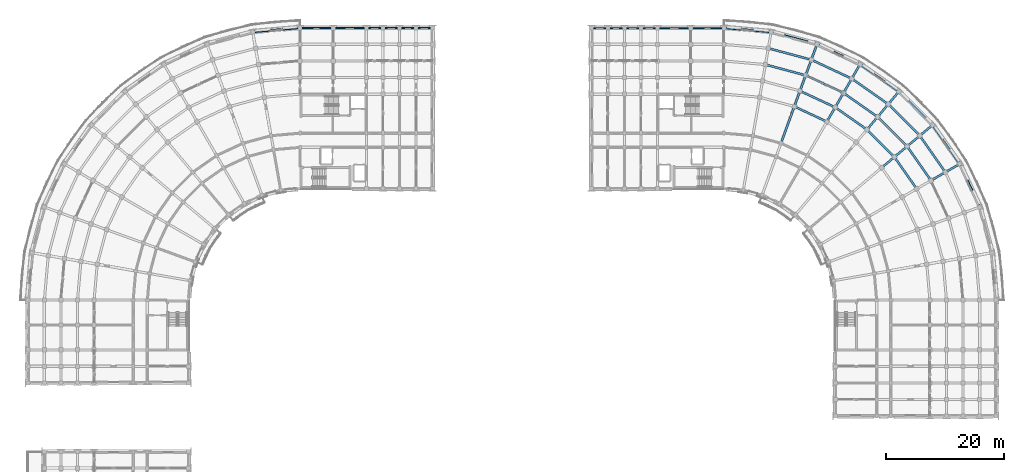
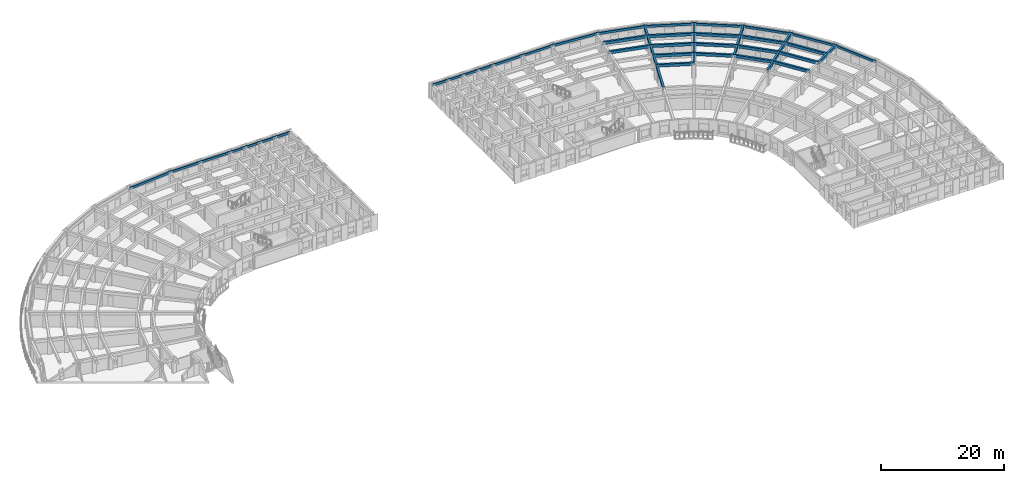
# One storey, part 14 of 57: 53 beams.
"""IFC4 building model written with IfcOpenShell, lengths in metres."""

from ifc_helpers import new_model, si_unit, direction, frame, origin, origin_2d, place, context, subcontext, project, spatial, rectangle, extrude, material, material_profile, profile_set, type_object, element, save


model = new_model("IFC4")

# Units and contexts
model_context = context("Model", 3, precision=1e-05, world=origin(), true_north=direction((0.0, 1.0)))
body_context = subcontext(model_context, "Body", "Model", "MODEL_VIEW")
ifc_project = project(units=[si_unit("LENGTHUNIT", "METRE"), si_unit("AREAUNIT", "SQUARE_METRE"), si_unit("VOLUMEUNIT", "CUBIC_METRE"), si_unit("PLANEANGLEUNIT", "RADIAN"), si_unit("MASSUNIT", "GRAM", prefix="KILO")], contexts=[model_context])

# Site, building, storey
site_placement = place(None, origin())
site = spatial("IfcSite", under=ifc_project, at=site_placement, CompositionType="ELEMENT")
building_placement = place(site_placement, origin())
building = spatial("IfcBuilding", under=site, at=building_placement, Name="Kiranvali Square Residences", CompositionType="ELEMENT")
storey_placement = place(building_placement, frame((0.0, 0.0, 21.300048828125)))
storey = spatial("IfcBuildingStorey", under=building, at=storey_placement, Name="L06", CompositionType="ELEMENT", Elevation=21.300048828125)

# Beams
ifc_material = material(Name="Concrete M40 (40 MPa)", Category="concrete")
ifc_material_profile_1 = material_profile(ifc_material, rectangle(XDim=0.35009765625, YDim=0.550048828125, at=origin_2d()), Name="RC 350x550")
ifc_profile_set_1 = profile_set([ifc_material_profile_1], Name="Concrete M40 (40 MPa)")
beam_type_1 = type_object("IfcBeamType", Name="BM-M40-350x550", PredefinedType="BEAM", material=ifc_profile_set_1)
beam_1_placement = place(storey_placement, frame((126.8154296875, 127.586181640625, 2.655029296875), z_axis=(0.965931029817, -0.258799624492, 0.0), x_axis=(0.258799624492, 0.965931029817, 0.0)))
element("IfcBeam", 1, at=beam_1_placement, inside=storey, type_object=beam_type_1, Name="L06 beam BM-B-L06-C01-R5", PredefinedType="BEAM", context=body_context, shape_type="SweptSolid", body=[
    extrude(rectangle(XDim=0.35009765625, YDim=0.550048828125, at=origin_2d()), origin(), (0.0, 0.0, 1.0), 7.042236328125),
])
beam_2_placement = place(storey_placement, frame((127.301513671875, 130.34375, 2.655029296875), z_axis=(0.965925909693, -0.258818733833, 0.0), x_axis=(0.258818733833, 0.965925909693, 0.0)))
element("IfcBeam", 2, at=beam_2_placement, inside=storey, type_object=beam_type_1, Name="L06 beam BM-B-L06-C01-R6", PredefinedType="BEAM", context=body_context, shape_type="SweptSolid", body=[
    extrude(rectangle(XDim=0.35009765625, YDim=0.550048828125, at=origin_2d()), origin(), (0.0, 0.0, 1.0), 7.5302734375),
])
beam_3_placement = place(storey_placement, frame((131.702392578125, 120.501220703125, 2.655029296875), z_axis=(0.906312656069, -0.42260781991, 0.0), x_axis=(0.42260781991, 0.906312656069, 0.0)))
element("IfcBeam", 3, at=beam_3_placement, inside=storey, type_object=beam_type_1, Name="L06 beam BM-B-L06-C02-R3", PredefinedType="BEAM", context=body_context, shape_type="SweptSolid", body=[
    extrude(rectangle(XDim=0.35009765625, YDim=0.550048828125, at=origin_2d()), origin(), (0.0, 0.0, 1.0), 6.06591796875),
])
beam_4_placement = place(storey_placement, frame((132.659912109375, 123.13232421875, 2.655029296875), z_axis=(0.906318225223, -0.422595876255, 0.0), x_axis=(0.422595876255, 0.906318225223, 0.0)))
element("IfcBeam", 4, at=beam_4_placement, inside=storey, type_object=beam_type_1, Name="L06 beam BM-B-L06-C02-R4", PredefinedType="BEAM", context=body_context, shape_type="SweptSolid", body=[
    extrude(rectangle(XDim=0.35009765625, YDim=0.550048828125, at=origin_2d()), origin(), (0.0, 0.0, 1.0), 6.55419921875),
])
beam_5_placement = place(storey_placement, frame((133.61767578125, 125.763671875, 2.655029296875), z_axis=(0.906297360311, -0.422640621205, 0.0), x_axis=(0.422640621205, 0.906297360311, 0.0)))
element("IfcBeam", 5, at=beam_5_placement, inside=storey, type_object=beam_type_1, Name="L06 beam BM-B-L06-C02-R5", PredefinedType="BEAM", context=body_context, shape_type="SweptSolid", body=[
    extrude(rectangle(XDim=0.35009765625, YDim=0.550048828125, at=origin_2d()), origin(), (0.0, 0.0, 1.0), 7.042236328125),
])
beam_6_placement = place(storey_placement, frame((134.5751953125, 128.394775390625, 2.655029296875), z_axis=(0.90630982703, -0.422613886933, 0.0), x_axis=(0.422613886933, 0.90630982703, 0.0)))
element("IfcBeam", 6, at=beam_6_placement, inside=storey, type_object=beam_type_1, Name="L06 beam BM-B-L06-C02-R6", PredefinedType="BEAM", context=body_context, shape_type="SweptSolid", body=[
    extrude(rectangle(XDim=0.35009765625, YDim=0.550048828125, at=origin_2d()), origin(), (0.0, 0.0, 1.0), 7.5302734375),
])
beam_7_placement = place(storey_placement, frame((138.60009765625, 120.362548828125, 2.655029296875), z_axis=(0.819144409176, -0.573587340268, 0.0), x_axis=(0.573587340268, 0.819144409176, 0.0)))
element("IfcBeam", 7, at=beam_7_placement, inside=storey, type_object=beam_type_1, Name="L06 beam BM-B-L06-C03-R4", PredefinedType="BEAM", context=body_context, shape_type="SweptSolid", body=[
    extrude(rectangle(XDim=0.35009765625, YDim=0.550048828125, at=origin_2d()), origin(), (0.0, 0.0, 1.0), 6.553955078125),
])
beam_8_placement = place(storey_placement, frame((140.0, 122.787353515625, 2.655029296875), z_axis=(0.819160249246, -0.57356471828, 0.0), x_axis=(0.57356471828, 0.819160249246, 0.0)))
element("IfcBeam", 8, at=beam_8_placement, inside=storey, type_object=beam_type_1, Name="L06 beam BM-B-L06-C03-R5", PredefinedType="BEAM", context=body_context, shape_type="SweptSolid", body=[
    extrude(rectangle(XDim=0.35009765625, YDim=0.550048828125, at=origin_2d()), origin(), (0.0, 0.0, 1.0), 7.0419921875),
])
beam_9_placement = place(storey_placement, frame((141.39990234375, 125.21240234375, 2.655029296875), z_axis=(0.819143569597, -0.573588539275, 0.0), x_axis=(0.573588539275, 0.819143569597, 0.0)))
element("IfcBeam", 9, at=beam_9_placement, inside=storey, type_object=beam_type_1, Name="L06 beam BM-B-L06-C03-R6", PredefinedType="BEAM", context=body_context, shape_type="SweptSolid", body=[
    extrude(rectangle(XDim=0.35009765625, YDim=0.550048828125, at=origin_2d()), origin(), (0.0, 0.0, 1.0), 7.5302734375),
])
beam_10_placement = place(storey_placement, frame((143.96875, 116.603271484375, 2.655029296875), z_axis=(0.707106781187, -0.707106781187, 0.0), x_axis=(0.707106781187, 0.707106781187, 0.0)))
element("IfcBeam", 10, at=beam_10_placement, inside=storey, type_object=beam_type_1, Name="L06 beam BM-B-L06-C04-R4", PredefinedType="BEAM", context=body_context, shape_type="SweptSolid", body=[
    extrude(rectangle(XDim=0.35009765625, YDim=0.550048828125, at=origin_2d()), origin(), (0.0, 0.0, 1.0), 6.55419921875),
])
beam_11_placement = place(storey_placement, frame((145.7685546875, 118.748291015625, 2.655029296875), z_axis=(0.707106781187, -0.707106781187, 0.0), x_axis=(0.707106781187, 0.707106781187, 0.0)))
element("IfcBeam", 11, at=beam_11_placement, inside=storey, type_object=beam_type_1, Name="L06 beam BM-B-L06-C04-R5", PredefinedType="BEAM", context=body_context, shape_type="SweptSolid", body=[
    extrude(rectangle(XDim=0.35009765625, YDim=0.550048828125, at=origin_2d()), origin(), (0.0, 0.0, 1.0), 7.04248046875),
])
beam_12_placement = place(storey_placement, frame((147.568359375, 120.89306640625, 2.655029296875), z_axis=(0.707106781187, -0.707106781187, 0.0), x_axis=(0.707106781187, 0.707106781187, 0.0)))
element("IfcBeam", 12, at=beam_12_placement, inside=storey, type_object=beam_type_1, Name="L06 beam BM-B-L06-C04-R6", PredefinedType="BEAM", context=body_context, shape_type="SweptSolid", body=[
    extrude(rectangle(XDim=0.35009765625, YDim=0.550048828125, at=origin_2d()), origin(), (0.0, 0.0, 1.0), 7.5302734375),
])
beam_13_placement = place(storey_placement, frame((148.603271484375, 111.96875, 2.655029296875), z_axis=(0.573587340268, -0.819144409176, 0.0), x_axis=(0.819144409176, 0.573587340268, 0.0)))
element("IfcBeam", 13, at=beam_13_placement, inside=storey, type_object=beam_type_1, Name="L06 beam BM-B-L06-C05-R4", PredefinedType="BEAM", context=body_context, shape_type="SweptSolid", body=[
    extrude(rectangle(XDim=0.35009765625, YDim=0.550048828125, at=origin_2d()), origin(), (0.0, 0.0, 1.0), 6.553955078125),
])
beam_14_placement = place(storey_placement, frame((150.748291015625, 113.7685546875, 2.655029296875), z_axis=(0.57356471828, -0.819160249246, 0.0), x_axis=(0.819160249246, 0.57356471828, 0.0)))
element("IfcBeam", 14, at=beam_14_placement, inside=storey, type_object=beam_type_1, Name="L06 beam BM-B-L06-C05-R5", PredefinedType="BEAM", context=body_context, shape_type="SweptSolid", body=[
    extrude(rectangle(XDim=0.35009765625, YDim=0.550048828125, at=origin_2d()), origin(), (0.0, 0.0, 1.0), 7.0419921875),
])
beam_15_placement = place(storey_placement, frame((152.89306640625, 115.568359375, 2.655029296875), z_axis=(0.573588539275, -0.819143569597, 0.0), x_axis=(0.819143569597, 0.573588539275, 0.0)))
element("IfcBeam", 15, at=beam_15_placement, inside=storey, type_object=beam_type_1, Name="L06 beam BM-B-L06-C05-R6", PredefinedType="BEAM", context=body_context, shape_type="SweptSolid", body=[
    extrude(rectangle(XDim=0.35009765625, YDim=0.550048828125, at=origin_2d()), origin(), (0.0, 0.0, 1.0), 7.5302734375),
])
beam_16_placement = place(storey_placement, frame((129.445068359375, 114.29931640625, 2.655029296875), z_axis=(0.342022238372, 0.939691858249, 0.0), x_axis=(-0.939691858249, 0.342022238372, 0.0)))
element("IfcBeam", 16, at=beam_16_placement, inside=storey, type_object=beam_type_1, Name="L06 beam BM-B-L06-RAD02-23", PredefinedType="BEAM", context=body_context, shape_type="SweptSolid", body=[
    extrude(rectangle(XDim=0.35009765625, YDim=0.550048828125, at=origin_2d()), origin(), (0.0, 0.0, 1.0), 6.599853515625),
])
beam_17_placement = place(storey_placement, frame((131.702392578125, 120.501220703125, 2.655029296875), z_axis=(0.341981089711, 0.93970683422, 0.0), x_axis=(-0.93970683422, 0.341981089711, 0.0)))
element("IfcBeam", 17, at=beam_17_placement, inside=storey, type_object=beam_type_1, Name="L06 beam BM-B-L06-RAD02-34", PredefinedType="BEAM", context=body_context, shape_type="SweptSolid", body=[
    extrude(rectangle(XDim=0.35009765625, YDim=0.550048828125, at=origin_2d()), origin(), (0.0, 0.0, 1.0), 2.7998046875),
])
beam_18_placement = place(storey_placement, frame((132.659912109375, 123.13232421875, 2.655029296875), z_axis=(0.342030060398, 0.939689011208, 0.0), x_axis=(-0.939689011208, 0.342030060398, 0.0)))
element("IfcBeam", 18, at=beam_18_placement, inside=storey, type_object=beam_type_1, Name="L06 beam BM-B-L06-RAD02-45", PredefinedType="BEAM", context=body_context, shape_type="SweptSolid", body=[
    extrude(rectangle(XDim=0.35009765625, YDim=0.550048828125, at=origin_2d()), origin(), (0.0, 0.0, 1.0), 2.80029296875),
])
beam_19_placement = place(storey_placement, frame((133.61767578125, 125.763671875, 2.655029296875), z_axis=(0.341981089711, 0.93970683422, 0.0), x_axis=(-0.93970683422, 0.341981089711, 0.0)))
element("IfcBeam", 19, at=beam_19_placement, inside=storey, type_object=beam_type_1, Name="L06 beam BM-B-L06-RAD02-56", PredefinedType="BEAM", context=body_context, shape_type="SweptSolid", body=[
    extrude(rectangle(XDim=0.35009765625, YDim=0.550048828125, at=origin_2d()), origin(), (0.0, 0.0, 1.0), 2.7998046875),
])
for number, where, z_axis, x_axis, name in (
    (20, (134.5751953125, 128.394775390625, 2.655029296875), (0.342058084236, 0.939678810556, 0.0), (-0.939678810556, 0.342058084236, 0.0), "L06 beam BM-B-L06-RAD02-67"),
    (21, (137.199951171875, 117.937744140625, 2.655029296875), (0.500049511043, 0.865996816683, 0.0), (-0.865996816683, 0.500049511043, 0.0), "L06 beam BM-B-L06-RAD03-34"),
):
    element("IfcBeam", number, at=place(storey_placement, frame(where, z_axis=z_axis, x_axis=x_axis)), inside=storey, type_object=beam_type_1, Name=name, PredefinedType="BEAM", context=body_context, shape_type="SweptSolid", body=[
        extrude(rectangle(XDim=0.35009765625, YDim=0.550048828125, at=origin_2d()), origin(), (0.0, 0.0, 1.0), 2.800048828125),
    ])
beam_20_placement = place(storey_placement, frame((138.60009765625, 120.362548828125, 2.655029296875), z_axis=(0.49998411664, 0.866034573852, 0.0), x_axis=(-0.866034573852, 0.49998411664, 0.0)))
element("IfcBeam", 22, at=beam_20_placement, inside=storey, type_object=beam_type_1, Name="L06 beam BM-B-L06-RAD03-45", PredefinedType="BEAM", context=body_context, shape_type="SweptSolid", body=[
    extrude(rectangle(XDim=0.35009765625, YDim=0.550048828125, at=origin_2d()), origin(), (0.0, 0.0, 1.0), 2.7998046875),
])
for number, where, z_axis, x_axis, name in (
    (23, (140.0, 122.787353515625, 2.655029296875), (0.49994636267, 0.866056369097, 0.0), (-0.866056369097, 0.49994636267, 0.0), "L06 beam BM-B-L06-RAD03-56"),
    (24, (141.39990234375, 125.21240234375, 2.655029296875), (0.500049511043, 0.865996816683, 0.0), (-0.865996816683, 0.500049511043, 0.0), "L06 beam BM-B-L06-RAD03-67"),
    (25, (143.96875, 116.603271484375, 2.655029296875), (0.642770757628, 0.766058583359, 0.0), (-0.766058583359, 0.642770757628, 0.0), "L06 beam BM-B-L06-RAD04-45"),
):
    element("IfcBeam", number, at=place(storey_placement, frame(where, z_axis=z_axis, x_axis=x_axis)), inside=storey, type_object=beam_type_1, Name=name, PredefinedType="BEAM", context=body_context, shape_type="SweptSolid", body=[
        extrude(rectangle(XDim=0.35009765625, YDim=0.550048828125, at=origin_2d()), origin(), (0.0, 0.0, 1.0), 2.800048828125),
    ])
beam_21_placement = place(storey_placement, frame((145.7685546875, 118.748291015625, 2.655029296875), z_axis=(0.642813692253, 0.76602255649, 0.0), x_axis=(-0.76602255649, 0.642813692253, 0.0)))
element("IfcBeam", 26, at=beam_21_placement, inside=storey, type_object=beam_type_1, Name="L06 beam BM-B-L06-RAD04-56", PredefinedType="BEAM", context=body_context, shape_type="SweptSolid", body=[
    extrude(rectangle(XDim=0.35009765625, YDim=0.550048828125, at=origin_2d()), origin(), (0.0, 0.0, 1.0), 2.7998046875),
])
for number, where, z_axis, x_axis, name in (
    (27, (147.568359375, 120.89306640625, 2.655029296875), (0.642770757628, 0.766058583359, 0.0), (-0.766058583359, 0.642770757628, 0.0), "L06 beam BM-B-L06-RAD04-67"),
    (28, (146.458251953125, 110.1689453125, 2.655029296875), (0.766058583359, 0.642770757628, 0.0), (-0.642770757628, 0.766058583359, 0.0), "L06 beam BM-B-L06-RAD05-34"),
    (29, (148.603271484375, 111.96875, 2.655029296875), (0.766058583359, 0.642770757628, 0.0), (-0.642770757628, 0.766058583359, 0.0), "L06 beam BM-B-L06-RAD05-45"),
):
    element("IfcBeam", number, at=place(storey_placement, frame(where, z_axis=z_axis, x_axis=x_axis)), inside=storey, type_object=beam_type_1, Name=name, PredefinedType="BEAM", context=body_context, shape_type="SweptSolid", body=[
        extrude(rectangle(XDim=0.35009765625, YDim=0.550048828125, at=origin_2d()), origin(), (0.0, 0.0, 1.0), 2.800048828125),
    ])
beam_22_placement = place(storey_placement, frame((150.748291015625, 113.7685546875, 2.655029296875), z_axis=(0.76602255649, 0.642813692253, 0.0), x_axis=(-0.642813692253, 0.76602255649, 0.0)))
element("IfcBeam", 30, at=beam_22_placement, inside=storey, type_object=beam_type_1, Name="L06 beam BM-B-L06-RAD05-56", PredefinedType="BEAM", context=body_context, shape_type="SweptSolid", body=[
    extrude(rectangle(XDim=0.35009765625, YDim=0.550048828125, at=origin_2d()), origin(), (0.0, 0.0, 1.0), 2.7998046875),
])
for number, where, z_axis, x_axis, name in (
    (31, (152.89306640625, 115.568359375, 2.655029296875), (0.766058583359, 0.642770757628, 0.0), (-0.642770757628, 0.766058583359, 0.0), "L06 beam BM-B-L06-RAD05-67"),
    (32, (154.787353515625, 108.0, 2.655029296875), (0.866056369097, 0.49994636267, 0.0), (-0.49994636267, 0.866056369097, 0.0), "L06 beam BM-B-L06-RAD06-56"),
    (33, (157.21240234375, 109.39990234375, 2.655029296875), (0.865996816683, 0.500049511043, 0.0), (-0.500049511043, 0.865996816683, 0.0), "L06 beam BM-B-L06-RAD06-67"),
):
    element("IfcBeam", number, at=place(storey_placement, frame(where, z_axis=z_axis, x_axis=x_axis)), inside=storey, type_object=beam_type_1, Name=name, PredefinedType="BEAM", context=body_context, shape_type="SweptSolid", body=[
        extrude(rectangle(XDim=0.35009765625, YDim=0.550048828125, at=origin_2d()), origin(), (0.0, 0.0, 1.0), 2.800048828125),
    ])
ifc_material_profile_2 = material_profile(ifc_material, rectangle(XDim=0.25, YDim=0.449951171875, at=origin_2d()), Name="RC 250x450")
ifc_profile_set_2 = profile_set([ifc_material_profile_2], Name="Concrete M40 (40 MPa)")
beam_type_2 = type_object("IfcBeamType", Name="SPN-M40-250x450", PredefinedType="SPANDREL", material=ifc_profile_set_2)
beam_23_placement = place(storey_placement, frame((48.199951171875, 133.800048828125, 2.704833984375), z_axis=(1.0, 0.0, 0.0), x_axis=(0.0, 1.0, 0.0)))
element("IfcBeam", 34, at=beam_23_placement, inside=storey, type_object=beam_type_2, Name="L06 beam BM-A-L06-A1U0-R7", PredefinedType="SPANDREL", context=body_context, shape_type="SweptSolid", body=[
    extrude(rectangle(XDim=0.25, YDim=0.449951171875, at=origin_2d()), origin(), (0.0, 0.0, 1.0), 5.60009765625),
])
beam_24_placement = place(storey_placement, frame((53.800048828125, 133.800048828125, 2.704833984375), z_axis=(1.0, 0.0, 0.0), x_axis=(0.0, 1.0, 0.0)))
element("IfcBeam", 35, at=beam_24_placement, inside=storey, type_object=beam_type_2, Name="L06 beam BM-A-L06-A1U1-R7", PredefinedType="SPANDREL", context=body_context, shape_type="SweptSolid", body=[
    extrude(rectangle(XDim=0.25, YDim=0.449951171875, at=origin_2d()), origin(), (0.0, 0.0, 1.0), 5.599853515625),
])
for number, where, z_axis, x_axis, name in (
    (36, (59.39990234375, 133.800048828125, 2.704833984375), (1.0, 0.0, 0.0), (0.0, 1.0, 0.0), "L06 beam BM-A-L06-A1U2-R7"),
    (37, (62.199951171875, 133.800048828125, 2.704833984375), (1.0, 0.0, 0.0), (0.0, 1.0, 0.0), "L06 beam BM-A-L06-A1U3-R7"),
    (38, (65.0, 133.800048828125, 2.704833984375), (1.0, 0.0, 0.0), (0.0, 1.0, 0.0), "L06 beam BM-A-L06-A1U4-R7"),
    (39, (67.800048828125, 133.800048828125, 2.704833984375), (1.0, 0.0, 0.0), (0.0, 1.0, 0.0), "L06 beam BM-A-L06-A1U5-R7"),
):
    element("IfcBeam", number, at=place(storey_placement, frame(where, z_axis=z_axis, x_axis=x_axis)), inside=storey, type_object=beam_type_2, Name=name, PredefinedType="SPANDREL", context=body_context, shape_type="SweptSolid", body=[
        extrude(rectangle(XDim=0.25, YDim=0.449951171875, at=origin_2d()), origin(), (0.0, 0.0, 1.0), 2.800048828125),
    ])
beam_25_placement = place(storey_placement, frame((119.800048828125, 133.800048828125, 2.704833984375), z_axis=(-1.0, 0.0, 0.0), x_axis=(0.0, -1.0, 0.0)))
element("IfcBeam", 40, at=beam_25_placement, inside=storey, type_object=beam_type_2, Name="L06 beam BM-B-L06-A1U0-R7", PredefinedType="SPANDREL", context=body_context, shape_type="SweptSolid", body=[
    extrude(rectangle(XDim=0.25, YDim=0.449951171875, at=origin_2d()), origin(), (0.0, 0.0, 1.0), 5.60009765625),
])
beam_26_placement = place(storey_placement, frame((114.199951171875, 133.800048828125, 2.704833984375), z_axis=(-1.0, 0.0, 0.0), x_axis=(0.0, -1.0, 0.0)))
element("IfcBeam", 41, at=beam_26_placement, inside=storey, type_object=beam_type_2, Name="L06 beam BM-B-L06-A1U1-R7", PredefinedType="SPANDREL", context=body_context, shape_type="SweptSolid", body=[
    extrude(rectangle(XDim=0.25, YDim=0.449951171875, at=origin_2d()), origin(), (0.0, 0.0, 1.0), 5.599853515625),
])
for number, where, z_axis, x_axis, name in (
    (42, (108.60009765625, 133.800048828125, 2.704833984375), (-1.0, 0.0, 0.0), (0.0, -1.0, 0.0), "L06 beam BM-B-L06-A1U2-R7"),
    (43, (105.800048828125, 133.800048828125, 2.704833984375), (-1.0, 0.0, 0.0), (0.0, -1.0, 0.0), "L06 beam BM-B-L06-A1U3-R7"),
    (44, (103.0, 133.800048828125, 2.704833984375), (-1.0, 0.0, 0.0), (0.0, -1.0, 0.0), "L06 beam BM-B-L06-A1U4-R7"),
    (45, (100.199951171875, 133.800048828125, 2.704833984375), (-1.0, 0.0, 0.0), (0.0, -1.0, 0.0), "L06 beam BM-B-L06-A1U5-R7"),
):
    element("IfcBeam", number, at=place(storey_placement, frame(where, z_axis=z_axis, x_axis=x_axis)), inside=storey, type_object=beam_type_2, Name=name, PredefinedType="SPANDREL", context=body_context, shape_type="SweptSolid", body=[
        extrude(rectangle(XDim=0.25, YDim=0.449951171875, at=origin_2d()), origin(), (0.0, 0.0, 1.0), 2.800048828125),
    ])
ifc_material_profile_3 = material_profile(ifc_material, rectangle(XDim=0.300048828125, YDim=0.449951171875, at=origin_2d()), Name="RC 300x450")
ifc_profile_set_3 = profile_set([ifc_material_profile_3], Name="Concrete M40 (40 MPa)")
beam_type_3 = type_object("IfcBeamType", Name="SPN-M40-300x450", PredefinedType="SPANDREL", material=ifc_profile_set_3)
for number, where, z_axis, x_axis, name in (
    (46, (48.199951171875, 133.800048828125, 2.704833984375), (-0.996193254792, -0.087172238171, 0.0), (0.087172238171, -0.996193254792, 0.0), "L06 beam BM-A-L06-C00-R7"),
    (47, (119.800048828125, 133.800048828125, 2.704833984375), (0.996193254792, -0.087172238171, 0.0), (0.087172238171, 0.996193254792, 0.0), "L06 beam BM-B-L06-C00-R7"),
    (48, (127.787841796875, 133.10107421875, 2.704833984375), (0.96592902462, -0.258807108475, 0.0), (0.258807108475, 0.96592902462, 0.0), "L06 beam BM-B-L06-C01-R7"),
    (49, (135.532958984375, 131.02587890625, 2.704833984375), (0.906309113636, -0.422615416827, 0.0), (0.422615416827, 0.906309113636, 0.0), "L06 beam BM-B-L06-C02-R7"),
    (50, (142.800048828125, 127.63720703125, 2.704833984375), (0.819147515001, -0.573582904791, 0.0), (0.573582904791, 0.819147515001, 0.0), "L06 beam BM-B-L06-C03-R7"),
):
    element("IfcBeam", number, at=place(storey_placement, frame(where, z_axis=z_axis, x_axis=x_axis)), inside=storey, type_object=beam_type_3, Name=name, PredefinedType="SPANDREL", context=body_context, shape_type="SweptSolid", body=[
        extrude(rectangle(XDim=0.300048828125, YDim=0.449951171875, at=origin_2d()), origin(), (0.0, 0.0, 1.0), 8.018310546875),
    ])
beam_27_placement = place(storey_placement, frame((149.3681640625, 123.0380859375, 2.704833984375), z_axis=(0.707106781187, -0.707106781187, 0.0), x_axis=(0.707106781187, 0.707106781187, 0.0)))
element("IfcBeam", 51, at=beam_27_placement, inside=storey, type_object=beam_type_3, Name="L06 beam BM-B-L06-C04-R7", PredefinedType="SPANDREL", context=body_context, shape_type="SweptSolid", body=[
    extrude(rectangle(XDim=0.300048828125, YDim=0.449951171875, at=origin_2d()), origin(), (0.0, 0.0, 1.0), 8.0185546875),
])
for number, where, z_axis, x_axis, name in (
    (52, (155.0380859375, 117.3681640625, 2.704833984375), (0.573582904791, -0.819147515001, 0.0), (0.819147515001, 0.573582904791, 0.0), "L06 beam BM-B-L06-C05-R7"),
    (53, (159.63720703125, 110.800048828125, 2.704833984375), (0.422615416827, -0.906309113636, 0.0), (0.906309113636, 0.422615416827, 0.0), "L06 beam BM-B-L06-C06-R7"),
):
    element("IfcBeam", number, at=place(storey_placement, frame(where, z_axis=z_axis, x_axis=x_axis)), inside=storey, type_object=beam_type_3, Name=name, PredefinedType="SPANDREL", context=body_context, shape_type="SweptSolid", body=[
        extrude(rectangle(XDim=0.300048828125, YDim=0.449951171875, at=origin_2d()), origin(), (0.0, 0.0, 1.0), 8.018310546875),
    ])

save(model, "model.ifc")
